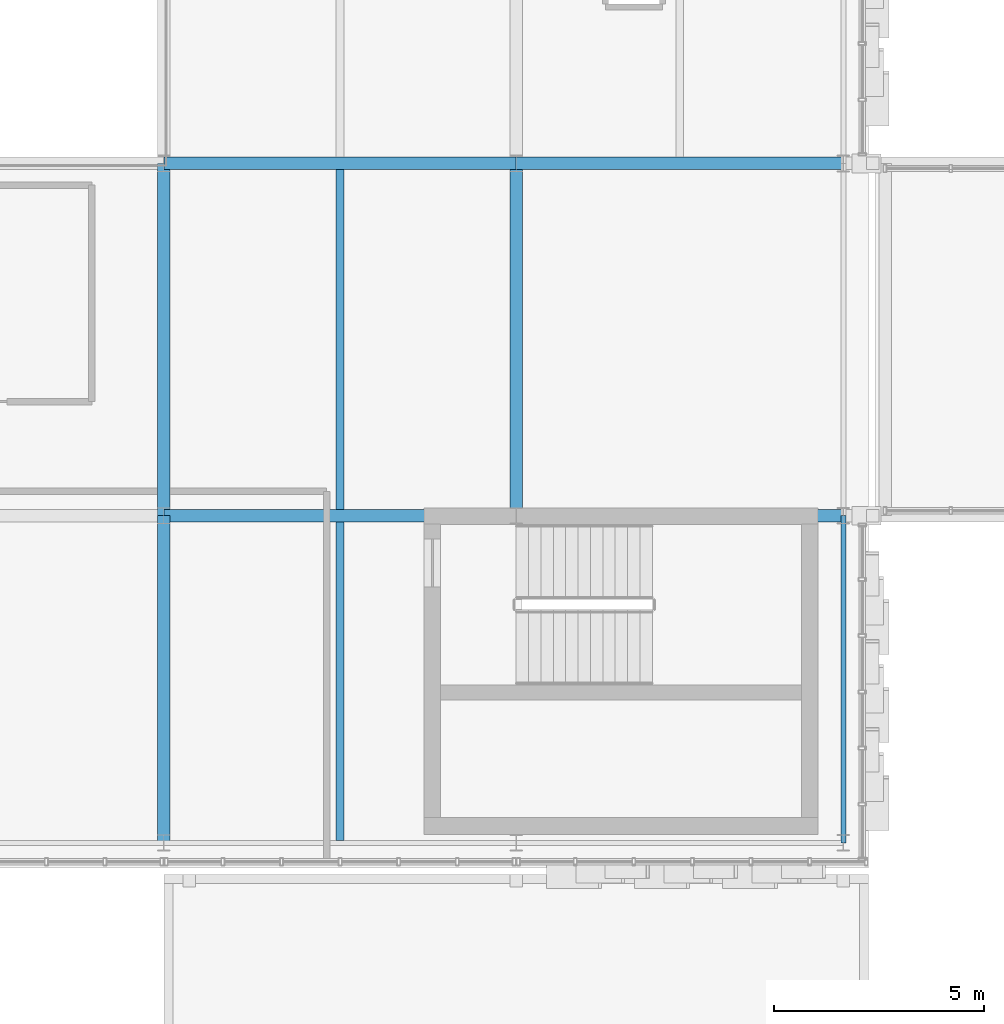
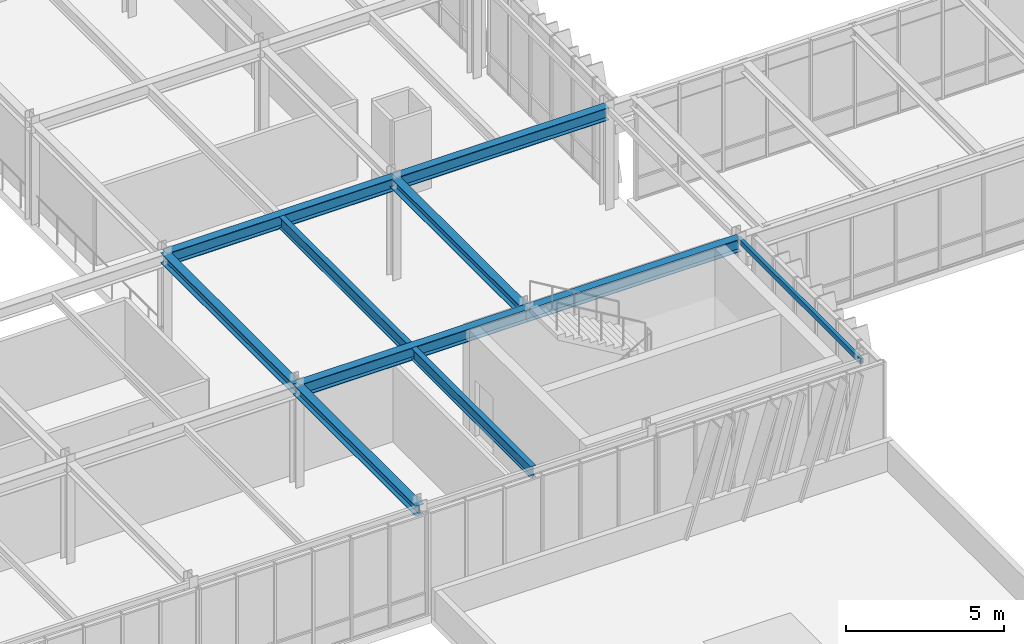
# One storey, part 53 of 127: 10 beams.
"""IFC4 building model written with IfcOpenShell, lengths in metres."""

from ifc_helpers import new_model, si_unit, direction, frame, origin, origin_2d, place, context, subcontext, project, spatial, hollow_rectangle, i_section, extrude, material, material_profile, profile_set, type_object, element, save


model = new_model("IFC4")

# Units and contexts
model_context = context("Model", 3, precision=1e-05, world=origin(), true_north=direction((0.0, 1.0)))
body_context = subcontext(model_context, "Body", "Model", "MODEL_VIEW")
ifc_project = project(units=[si_unit("LENGTHUNIT", "METRE"), si_unit("AREAUNIT", "SQUARE_METRE"), si_unit("VOLUMEUNIT", "CUBIC_METRE"), si_unit("PLANEANGLEUNIT", "RADIAN"), si_unit("MASSUNIT", "GRAM", prefix="KILO")], contexts=[model_context])

# Site, building, storey
site_placement = place(None, origin())
site = spatial("IfcSite", under=ifc_project, at=site_placement, CompositionType="ELEMENT")
building_placement = place(site_placement, origin())
building = spatial("IfcBuilding", under=site, at=building_placement, Name="Zayran Congress Hotel", CompositionType="ELEMENT")
storey_placement = place(building_placement, frame((0.0, 0.0, 10.800048828125)))
storey = spatial("IfcBuildingStorey", under=building, at=storey_placement, Name="L02", CompositionType="ELEMENT", Elevation=10.800048828125)

# Beams
ifc_material = material(Name="Steel S355", Category="steel")
ifc_material_profile_1 = material_profile(ifc_material, i_section(OverallWidth=0.300048828125, OverallDepth=0.489990234375, WebThickness=0.011962890625, FlangeThickness=0.02294921875, at=origin_2d()), Name="HEA 500")
ifc_profile_set_1 = profile_set([ifc_material_profile_1], Name="Steel S355")
beam_type_1 = type_object("IfcBeamType", Name="TP-BM-05", PredefinedType="BEAM", material=ifc_profile_set_1)
beam_1_placement = place(storey_placement, frame((75.60009765625, 76.0, 3.675048828125), z_axis=(1.0, 0.0, 0.0), x_axis=(0.0, 1.0, 0.0)))
element("IfcBeam", 1, at=beam_1_placement, inside=storey, type_object=beam_type_1, Name="BM-V1-L02-0670", PredefinedType="BEAM", context=body_context, shape_type="SweptSolid", body=[
    extrude(i_section(OverallWidth=0.300048828125, OverallDepth=0.489990234375, WebThickness=0.011962890625, FlangeThickness=0.02294921875, at=origin_2d()), origin(), (0.0, 0.0, 1.0), 8.39990234375),
])
beam_2_placement = place(storey_placement, frame((84.0, 76.0, 3.675048828125), z_axis=(1.0, 0.0, 0.0), x_axis=(0.0, 1.0, 0.0)))
element("IfcBeam", 2, at=beam_2_placement, inside=storey, type_object=beam_type_1, Name="BM-V1-L02-0671", PredefinedType="BEAM", context=body_context, shape_type="SweptSolid", body=[
    extrude(i_section(OverallWidth=0.300048828125, OverallDepth=0.489990234375, WebThickness=0.011962890625, FlangeThickness=0.02294921875, at=origin_2d()), origin(), (0.0, 0.0, 1.0), 7.800048828125),
])
beam_3_placement = place(storey_placement, frame((75.60009765625, 84.39990234375, 3.675048828125), z_axis=(1.0, 0.0, 0.0), x_axis=(0.0, 1.0, 0.0)))
element("IfcBeam", 3, at=beam_3_placement, inside=storey, type_object=beam_type_1, Name="BM-V1-L02-0680", PredefinedType="BEAM", context=body_context, shape_type="SweptSolid", body=[
    extrude(i_section(OverallWidth=0.300048828125, OverallDepth=0.489990234375, WebThickness=0.011962890625, FlangeThickness=0.02294921875, at=origin_2d()), origin(), (0.0, 0.0, 1.0), 8.39990234375),
])
beam_4_placement = place(storey_placement, frame((84.0, 84.39990234375, 3.675048828125), z_axis=(1.0, 0.0, 0.0), x_axis=(0.0, 1.0, 0.0)))
element("IfcBeam", 4, at=beam_4_placement, inside=storey, type_object=beam_type_1, Name="BM-V1-L02-0681", PredefinedType="BEAM", context=body_context, shape_type="SweptSolid", body=[
    extrude(i_section(OverallWidth=0.300048828125, OverallDepth=0.489990234375, WebThickness=0.011962890625, FlangeThickness=0.02294921875, at=origin_2d()), origin(), (0.0, 0.0, 1.0), 7.800048828125),
])
ifc_material_profile_2 = material_profile(ifc_material, i_section(OverallWidth=0.300048828125, OverallDepth=0.389892578125, WebThickness=0.010986328125, FlangeThickness=0.01904296875, at=origin_2d()), Name="HEA 400")
ifc_profile_set_2 = profile_set([ifc_material_profile_2], Name="Steel S355")
beam_type_2 = type_object("IfcBeamType", Name="TP-BM-06", PredefinedType="BEAM", material=ifc_profile_set_2)
beam_5_placement = place(storey_placement, frame((75.60009765625, 68.199951171875, 3.724853515625), z_axis=(0.0, 1.0, 0.0), x_axis=(-1.0, 0.0, 0.0)))
element("IfcBeam", 5, at=beam_5_placement, inside=storey, type_object=beam_type_2, Name="BM-V1-L02-0741", PredefinedType="BEAM", context=body_context, shape_type="SweptSolid", body=[
    extrude(i_section(OverallWidth=0.300048828125, OverallDepth=0.389892578125, WebThickness=0.010986328125, FlangeThickness=0.01904296875, at=origin_2d()), origin(), (0.0, 0.0, 1.0), 7.800048828125),
])
for number, where, z_axis, x_axis, name in (
    (6, (75.60009765625, 76.0, 3.724853515625), (0.0, 1.0, 0.0), (-1.0, 0.0, 0.0), "BM-V1-L02-0742"),
    (7, (84.0, 76.0, 3.724853515625), (0.0, 1.0, 0.0), (-1.0, 0.0, 0.0), "BM-V1-L02-0747"),
):
    element("IfcBeam", number, at=place(storey_placement, frame(where, z_axis=z_axis, x_axis=x_axis)), inside=storey, type_object=beam_type_2, Name=name, PredefinedType="BEAM", context=body_context, shape_type="SweptSolid", body=[
        extrude(i_section(OverallWidth=0.300048828125, OverallDepth=0.389892578125, WebThickness=0.010986328125, FlangeThickness=0.01904296875, at=origin_2d()), origin(), (0.0, 0.0, 1.0), 8.39990234375),
    ])
ifc_material_profile_3 = material_profile(ifc_material, i_section(OverallWidth=0.18994140625, OverallDepth=0.449951171875, WebThickness=0.009521484375, FlangeThickness=0.0146484375, at=origin_2d()), Name="IPE 450")
ifc_profile_set_3 = profile_set([ifc_material_profile_3], Name="Steel S355")
beam_type_3 = type_object("IfcBeamType", Name="TP-JS-02", PredefinedType="JOIST", material=ifc_profile_set_3)
beam_6_placement = place(storey_placement, frame((79.800048828125, 68.260009765625, 3.695068359375), z_axis=(0.0, 1.0, 0.0), x_axis=(-1.0, 0.0, 0.0)))
element("IfcBeam", 8, at=beam_6_placement, inside=storey, type_object=beam_type_3, Name="JST-V1-L02-0783", PredefinedType="JOIST", context=body_context, shape_type="SweptSolid", body=[
    extrude(i_section(OverallWidth=0.18994140625, OverallDepth=0.449951171875, WebThickness=0.009521484375, FlangeThickness=0.0146484375, at=origin_2d()), origin(), (0.0, 0.0, 1.0), 7.590087890625),
])
beam_7_placement = place(storey_placement, frame((79.800048828125, 76.14990234375, 3.695068359375), z_axis=(0.0, 1.0, 0.0), x_axis=(-1.0, 0.0, 0.0)))
element("IfcBeam", 9, at=beam_7_placement, inside=storey, type_object=beam_type_3, Name="JST-V1-L02-0784", PredefinedType="JOIST", context=body_context, shape_type="SweptSolid", body=[
    extrude(i_section(OverallWidth=0.18994140625, OverallDepth=0.449951171875, WebThickness=0.009521484375, FlangeThickness=0.0146484375, at=origin_2d()), origin(), (0.0, 0.0, 1.0), 8.10009765625),
])
ifc_material_profile_4 = material_profile(ifc_material, hollow_rectangle(XDim=0.1201171875, YDim=0.199951171875, WallThickness=0.008056640625, at=origin_2d()), Name="RHS 200x120x8")
ifc_profile_set_4 = profile_set([ifc_material_profile_4], Name="Steel S355")
beam_type_4 = type_object("IfcBeamType", Name="TP-SP-02", PredefinedType="SPANDREL", material=ifc_profile_set_4)
beam_8_placement = place(storey_placement, frame((91.800048828125, 68.199951171875, 3.820068359375), z_axis=(0.0, 1.0, 0.0), x_axis=(-1.0, 0.0, 0.0)))
element("IfcBeam", 10, at=beam_8_placement, inside=storey, type_object=beam_type_4, Name="BM-V1-L02-0751", PredefinedType="SPANDREL", context=body_context, shape_type="SweptSolid", body=[
    extrude(hollow_rectangle(XDim=0.1201171875, YDim=0.199951171875, WallThickness=0.008056640625, at=origin_2d()), origin(), (0.0, 0.0, 1.0), 7.800048828125),
])

save(model, "model.ifc")
